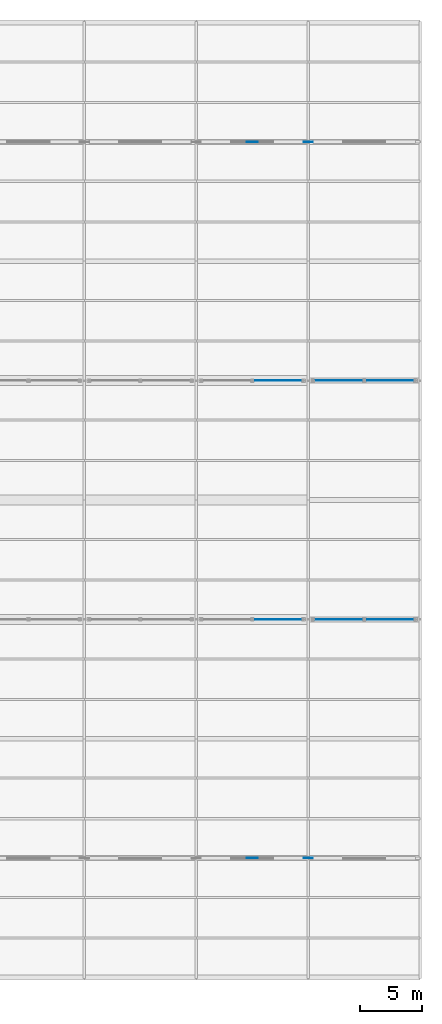
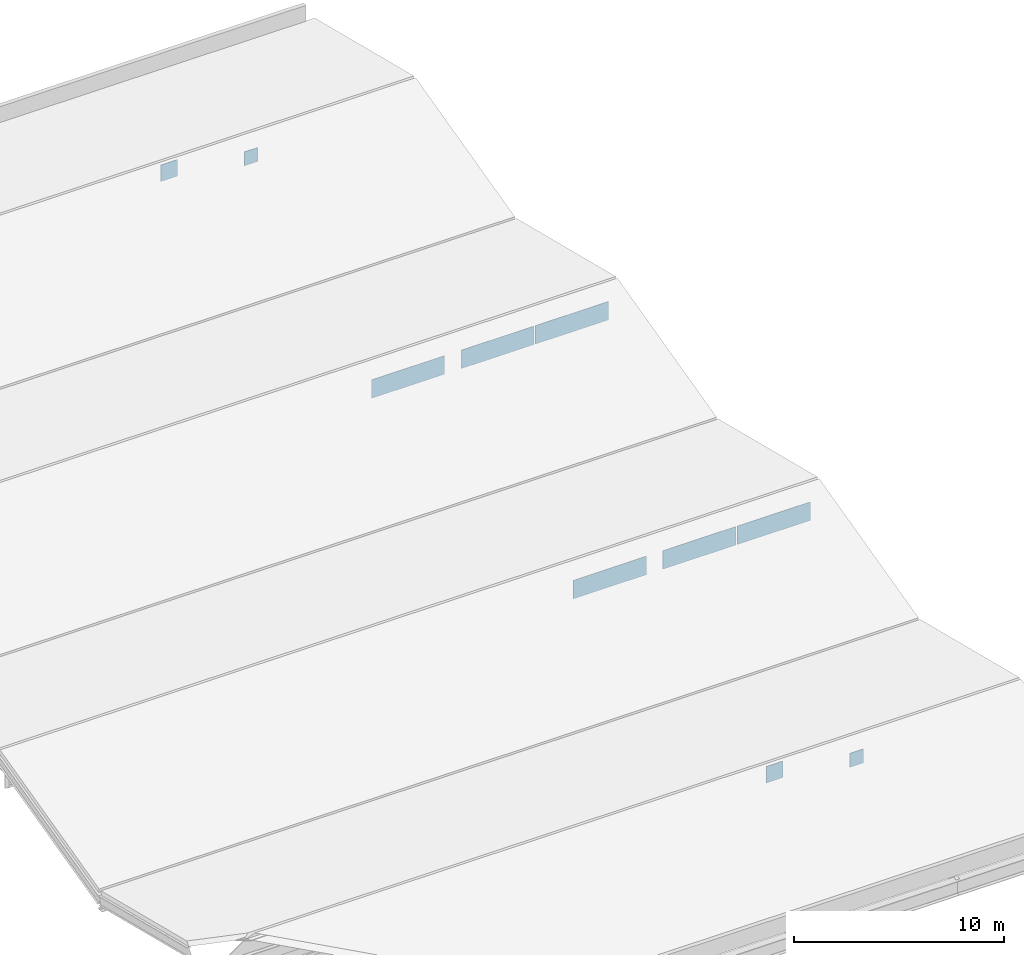
# One storey, part 23 of 36: 10 plates, 4 elements without a shape of their own.
"""IFC4 building model written with IfcOpenShell, lengths in metres."""

from ifc_helpers import new_model, si_unit, direction, frame, origin, origin_2d, place, context, subcontext, project, spatial, rectangle, extrude, material, layer, layer_set, type_object, element, aggregate, save


model = new_model("IFC4")

# Units and contexts
model_context = context("Model", 3, precision=1e-05, world=origin(), true_north=direction((0.0, 1.0)))
body_context = subcontext(model_context, "Body", "Model", "MODEL_VIEW")
ifc_project = project(units=[si_unit("LENGTHUNIT", "METRE"), si_unit("AREAUNIT", "SQUARE_METRE"), si_unit("VOLUMEUNIT", "CUBIC_METRE"), si_unit("PLANEANGLEUNIT", "RADIAN"), si_unit("MASSUNIT", "GRAM", prefix="KILO")], contexts=[model_context])

# Site, building, storey
site_placement = place(None, origin())
site = spatial("IfcSite", under=ifc_project, at=site_placement, CompositionType="ELEMENT")
building_placement = place(site_placement, origin())
building = spatial("IfcBuilding", under=site, at=building_placement, Name="Qorvath Tower", CompositionType="ELEMENT")
storey_placement = place(building_placement, frame((0.0, 0.0, 27.0)))
storey = spatial("IfcBuildingStorey", under=building, at=storey_placement, Name="L05", CompositionType="ELEMENT", Elevation=27.0)

# Curtain wall, plate
ifc_material_1 = material(Name="Anodised aluminium and triple low-E glass", Category="aluminium")
ifc_layer_1 = layer(ifc_material_1, 0.179931640625)
ifc_layer_set_1 = layer_set([ifc_layer_1], Name="CW-SYS-7")
curtain_wall_type = type_object("IfcCurtainWallType", Name="CW-SYS-7", PredefinedType="NOTDEFINED", material=ifc_layer_set_1)
curtain_wall_1_placement = place(storey_placement, origin())
curtain_wall_1 = element("IfcCurtainWall", 1, at=curtain_wall_1_placement, inside=storey, type_object=curtain_wall_type, Name="Curtain Wall CW-7 CW-LIB-SKY-2-4", PredefinedType="NOTDEFINED")
ifc_material_2 = material(Name="Low-E triple insulated glass", Category="glass")
ifc_layer_2 = layer(ifc_material_2, 0.031982421875)
ifc_layer_set_2 = layer_set([ifc_layer_2], Name="CWP-GLZ-32")
plate_type_1 = type_object("IfcPlateType", Name="CWP-GLZ-32", PredefinedType="CURTAIN_PANEL", material=ifc_layer_set_2)
plate_1_placement = place(storey_placement, frame((65.945068359375, -9.60009765625, 0.06494140625), z_axis=(0.0, 0.0, 1.0), x_axis=(1.0, 0.0, 0.0)))
plate_1 = element("IfcPlate", 2, at=plate_1_placement, type_object=plate_type_1, Name="CW-7 panel 2.1", PredefinedType="CURTAIN_PANEL", context=body_context, shape_type="SweptSolid", body=[
    extrude(rectangle(XDim=4.010009765625, YDim=0.031982421875, at=origin_2d()), origin(), (0.0, 0.0, 1.0), 1.070068359375),
])
aggregate(curtain_wall_1, [plate_1])

# Curtain wall, plates
curtain_wall_2_placement = place(storey_placement, origin())
curtain_wall_2 = element("IfcCurtainWall", 3, at=curtain_wall_2_placement, inside=storey, type_object=curtain_wall_type, Name="Curtain Wall CW-7 CW-LIB-SKY-2-5", PredefinedType="NOTDEFINED")
plate_2_placement = place(storey_placement, frame((70.85498046875, -9.60009765625, 0.06494140625), z_axis=(0.0, 0.0, 1.0), x_axis=(1.0, 0.0, 0.0)))
plate_2 = element("IfcPlate", 4, at=plate_2_placement, type_object=plate_type_1, Name="CW-7 panel 1.1", PredefinedType="CURTAIN_PANEL", context=body_context, shape_type="SweptSolid", body=[
    extrude(rectangle(XDim=4.010009765625, YDim=0.031982421875, at=origin_2d()), origin(), (0.0, 0.0, 1.0), 1.070068359375),
])
plate_3_placement = place(storey_placement, frame((74.945068359375, -9.60009765625, 0.06494140625), z_axis=(0.0, 0.0, 1.0), x_axis=(1.0, 0.0, 0.0)))
plate_3 = element("IfcPlate", 5, at=plate_3_placement, type_object=plate_type_1, Name="CW-7 panel 2.1", PredefinedType="CURTAIN_PANEL", context=body_context, shape_type="SweptSolid", body=[
    extrude(rectangle(XDim=4.010009765625, YDim=0.031982421875, at=origin_2d()), origin(), (0.0, 0.0, 1.0), 1.070068359375),
])
aggregate(curtain_wall_2, [plate_2, plate_3])

# Curtain wall, plate
curtain_wall_3_placement = place(storey_placement, origin())
curtain_wall_3 = element("IfcCurtainWall", 6, at=curtain_wall_3_placement, inside=storey, type_object=curtain_wall_type, Name="Curtain Wall CW-7 CW-LIB-SKY-3-4", PredefinedType="NOTDEFINED")
plate_4_placement = place(storey_placement, frame((65.945068359375, 9.60009765625, 0.06494140625), z_axis=(0.0, 0.0, 1.0), x_axis=(1.0, 0.0, 0.0)))
plate_4 = element("IfcPlate", 7, at=plate_4_placement, type_object=plate_type_1, Name="CW-7 panel 2.1", PredefinedType="CURTAIN_PANEL", context=body_context, shape_type="SweptSolid", body=[
    extrude(rectangle(XDim=4.010009765625, YDim=0.031982421875, at=origin_2d()), origin(), (0.0, 0.0, 1.0), 1.070068359375),
])
aggregate(curtain_wall_3, [plate_4])

# Curtain wall, plates
curtain_wall_4_placement = place(storey_placement, origin())
curtain_wall_4 = element("IfcCurtainWall", 8, at=curtain_wall_4_placement, inside=storey, type_object=curtain_wall_type, Name="Curtain Wall CW-7 CW-LIB-SKY-3-5", PredefinedType="NOTDEFINED")
plate_5_placement = place(storey_placement, frame((70.85498046875, 9.60009765625, 0.06494140625), z_axis=(0.0, 0.0, 1.0), x_axis=(1.0, 0.0, 0.0)))
plate_5 = element("IfcPlate", 9, at=plate_5_placement, type_object=plate_type_1, Name="CW-7 panel 1.1", PredefinedType="CURTAIN_PANEL", context=body_context, shape_type="SweptSolid", body=[
    extrude(rectangle(XDim=4.010009765625, YDim=0.031982421875, at=origin_2d()), origin(), (0.0, 0.0, 1.0), 1.070068359375),
])
plate_6_placement = place(storey_placement, frame((74.945068359375, 9.60009765625, 0.06494140625), z_axis=(0.0, 0.0, 1.0), x_axis=(1.0, 0.0, 0.0)))
plate_6 = element("IfcPlate", 10, at=plate_6_placement, type_object=plate_type_1, Name="CW-7 panel 2.1", PredefinedType="CURTAIN_PANEL", context=body_context, shape_type="SweptSolid", body=[
    extrude(rectangle(XDim=4.010009765625, YDim=0.031982421875, at=origin_2d()), origin(), (0.0, 0.0, 1.0), 1.070068359375),
])
aggregate(curtain_wall_4, [plate_5, plate_6])

# Plates
ifc_material_3 = material(Name="Steel ASTM A572 Grade 50", Category="steel")
ifc_layer_3 = layer(ifc_material_3, 0.044921875)
ifc_layer_set_3 = layer_set([ifc_layer_3], Name="PL-LFN1")
plate_type_2 = type_object("IfcPlateType", Name="PL-LFN1", PredefinedType="USERDEFINED", material=ifc_layer_set_3)
for number, where, z_axis, x_axis, name in (
    (11, (63.89990234375, -28.800048828125, 1.1884765625), (0.0, 0.0, 1.0), (1.0, 0.0, 0.0), "Library Roof Truss Node Gusset 2-3"),
    (12, (63.89990234375, 28.800048828125, 1.1884765625), (0.0, 0.0, 1.0), (1.0, 0.0, 0.0), "Library Roof Truss Node Gusset 8-3"),
):
    element("IfcPlate", number, at=place(storey_placement, frame(where, z_axis=z_axis, x_axis=x_axis)), inside=storey, type_object=plate_type_2, Name=name, ObjectType="GUSSET", PredefinedType="USERDEFINED", context=body_context, shape_type="SweptSolid", body=[
        extrude(rectangle(XDim=0.89990234375, YDim=0.044921875, at=origin_2d()), origin(), (0.0, 0.0, 1.0), 0.949951171875),
    ])
for number, where, z_axis, x_axis, name in (
    (13, (68.39990234375, -28.800048828125, 0.49365234375), (0.0, 0.0, 1.0), (1.0, 0.0, 0.0), "Brace Strut End Gusset Plate NDBG-155"),
    (14, (68.39990234375, 28.800048828125, 0.49365234375), (0.0, 0.0, 1.0), (1.0, 0.0, 0.0), "Brace Strut End Gusset Plate NDBG-159"),
):
    element("IfcPlate", number, at=place(storey_placement, frame(where, z_axis=z_axis, x_axis=x_axis)), inside=storey, type_object=plate_type_2, Name=name, ObjectType="GUSSET", PredefinedType="USERDEFINED", context=body_context, shape_type="SweptSolid", body=[
        extrude(rectangle(XDim=0.75, YDim=0.044921875, at=origin_2d()), origin(), (0.0, 0.0, 1.0), 0.800048828125),
    ])

save(model, "model.ifc")
